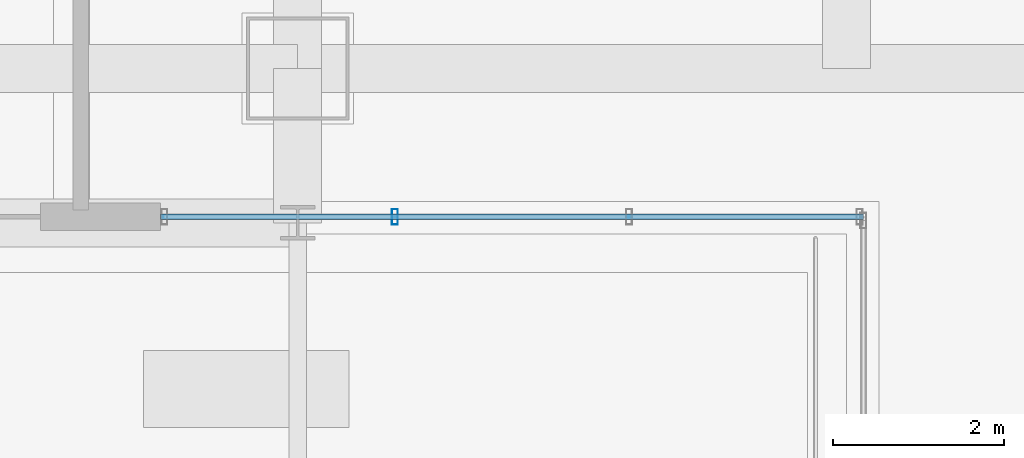
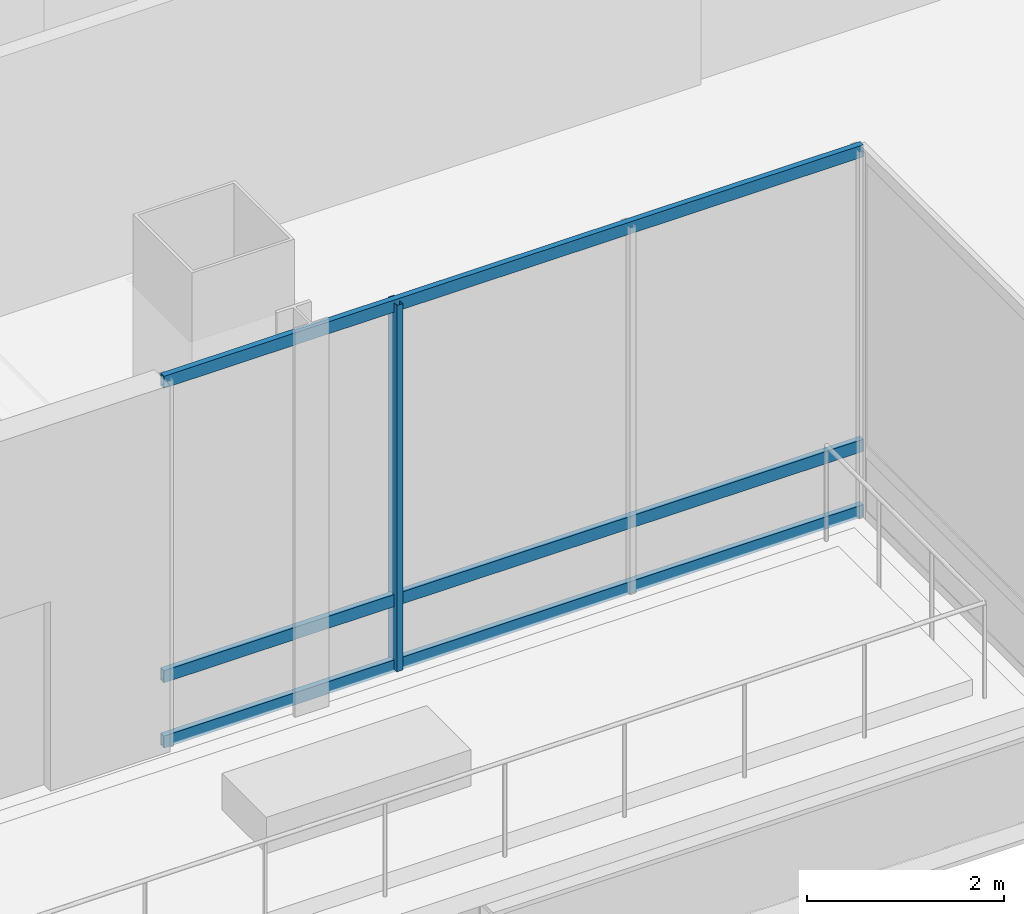
# One storey, part 8 of 44: 4 members, 1 element without a shape of its own.
"""IFC4 building model written with IfcOpenShell, lengths in metres."""

from ifc_helpers import new_model, si_unit, direction, frame, origin, origin_2d, place, context, subcontext, project, spatial, hollow_rectangle, extrude, material, material_profile, profile_set, type_object, element, aggregate, save


model = new_model("IFC4")

# Units and contexts
model_context = context("Model", 3, precision=1e-05, world=origin(), true_north=direction((0.0, 1.0)))
body_context = subcontext(model_context, "Body", "Model", "MODEL_VIEW")
ifc_project = project(units=[si_unit("LENGTHUNIT", "METRE"), si_unit("AREAUNIT", "SQUARE_METRE"), si_unit("VOLUMEUNIT", "CUBIC_METRE"), si_unit("PLANEANGLEUNIT", "RADIAN"), si_unit("MASSUNIT", "GRAM", prefix="KILO")], contexts=[model_context])

# Site, building, storey
site_placement = place(None, origin())
site = spatial("IfcSite", under=ifc_project, at=site_placement, CompositionType="ELEMENT")
building_placement = place(site_placement, origin())
building = spatial("IfcBuilding", under=site, at=building_placement, Name="Punatoya Terracotta Tower", CompositionType="ELEMENT")
storey_placement = place(building_placement, frame((0.0, 0.0, 334.199951171875)))
storey = spatial("IfcBuildingStorey", under=building, at=storey_placement, Name="L79", CompositionType="ELEMENT", Elevation=334.199951171875)

# Curtain wall, members
ifc_material_1 = material(Name="Aluminium 6063-T6 + Double Low-E Glass", Category="aluminium")
curtain_wall_type = type_object("IfcCurtainWallType", Name="CW-OBS", PredefinedType="NOTDEFINED", material=ifc_material_1)
curtain_wall_placement = place(storey_placement, origin())
curtain_wall = element("IfcCurtainWall", 1, at=curtain_wall_placement, inside=storey, type_object=curtain_wall_type, Name="L79 Curtain Wall CW-L79-S4B1", PredefinedType="NOTDEFINED")
ifc_material_2 = material(Name="Aluminium 6063-T6", Category="aluminium")
ifc_material_profile_1 = material_profile(ifc_material_2, hollow_rectangle(XDim=0.070068359375, YDim=0.179931640625, WallThickness=0.00390625, at=origin_2d()))
ifc_profile_set_1 = profile_set([ifc_material_profile_1], Name="Aluminium 6063-T6")
member_type_1 = type_object("IfcMemberType", Name="CW-MUL-M3", PredefinedType="MULLION", material=ifc_profile_set_1)
member_1_placement = place(storey_placement, frame((4.933349609375, -19.22998046875, 0.0), z_axis=(0.0, 0.0, 1.0), x_axis=(1.0, 0.0, 0.0)))
member_1 = element("IfcMember", 2, at=member_1_placement, type_object=member_type_1, Name="CW-L79-S4B1 Mullion 01", PredefinedType="MULLION", context=body_context, shape_type="SweptSolid", body=[
    extrude(hollow_rectangle(XDim=0.070068359375, YDim=0.179931640625, WallThickness=0.00390625, at=origin_2d()), origin(), (0.0, 0.0, 1.0), 4.5400390625),
])
ifc_material_profile_2 = material_profile(ifc_material_2, hollow_rectangle(XDim=0.068115234375, YDim=0.14990234375, WallThickness=0.00390625, at=origin_2d()))
ifc_profile_set_2 = profile_set([ifc_material_profile_2], Name="Aluminium 6063-T6")
member_type_2 = type_object("IfcMemberType", Name="CW-TRN-TYP", PredefinedType="USERDEFINED", material=ifc_profile_set_2)
member_2_placement = place(storey_placement, frame((2.199951171875, -19.22998046875, 0.0400390625), z_axis=(1.0, 0.0, 0.0), x_axis=(0.0, 1.0, 0.0)))
member_2 = element("IfcMember", 3, at=member_2_placement, type_object=member_type_2, Name="CW-L79-S4B1 Transom 1", ObjectType="TRANSOM", PredefinedType="USERDEFINED", context=body_context, shape_type="SweptSolid", body=[
    extrude(hollow_rectangle(XDim=0.068115234375, YDim=0.14990234375, WallThickness=0.00390625, at=origin_2d()), origin(), (0.0, 0.0, 1.0), 8.199951171875),
])
member_3_placement = place(storey_placement, frame((2.199951171875, -19.22998046875, 0.85009765625), z_axis=(1.0, 0.0, 0.0), x_axis=(0.0, 1.0, 0.0)))
member_3 = element("IfcMember", 4, at=member_3_placement, type_object=member_type_2, Name="CW-L79-S4B1 Transom 2", ObjectType="TRANSOM", PredefinedType="USERDEFINED", context=body_context, shape_type="SweptSolid", body=[
    extrude(hollow_rectangle(XDim=0.068115234375, YDim=0.14990234375, WallThickness=0.00390625, at=origin_2d()), origin(), (0.0, 0.0, 1.0), 8.199951171875),
])
member_4_placement = place(storey_placement, frame((2.199951171875, -19.22998046875, 4.5), z_axis=(1.0, 0.0, 0.0), x_axis=(0.0, 1.0, 0.0)))
member_4 = element("IfcMember", 5, at=member_4_placement, type_object=member_type_2, Name="CW-L79-S4B1 Transom 3", ObjectType="TRANSOM", PredefinedType="USERDEFINED", context=body_context, shape_type="SweptSolid", body=[
    extrude(hollow_rectangle(XDim=0.068115234375, YDim=0.14990234375, WallThickness=0.00390625, at=origin_2d()), origin(), (0.0, 0.0, 1.0), 8.199951171875),
])
aggregate(curtain_wall, [member_1, member_2, member_3, member_4])

save(model, "model.ifc")
